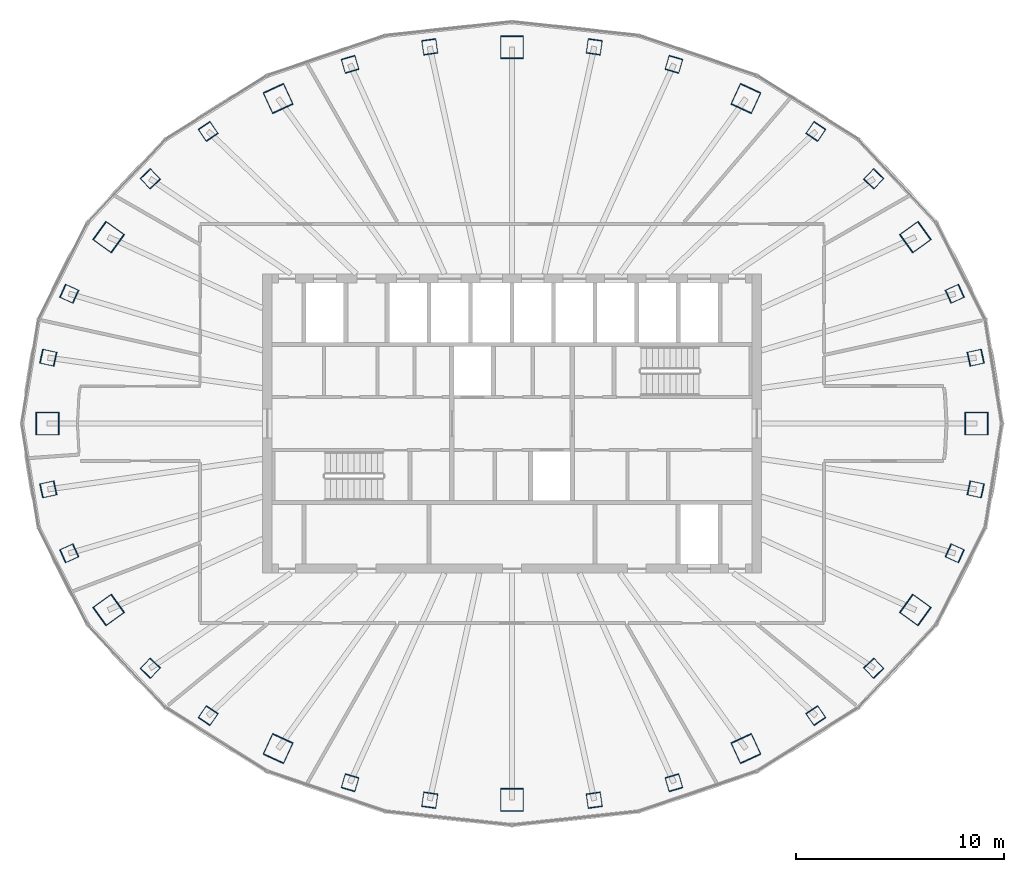
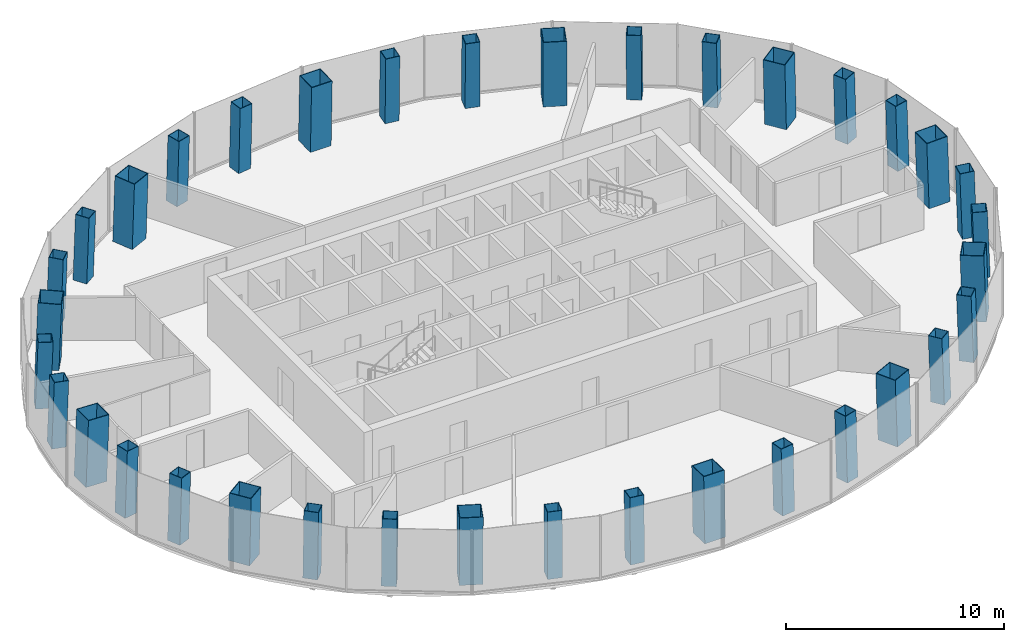
# One storey, part 1 of 13: 36 columns.
"""IFC4 building model written with IfcOpenShell, lengths in metres."""

from ifc_helpers import new_model, si_unit, direction, frame, origin, origin_2d, place, context, subcontext, project, spatial, hollow_rectangle, extrude, material, material_profile, profile_set, type_object, element, save


model = new_model("IFC4")

# Units and contexts
model_context = context("Model", 3, precision=1e-05, world=origin(), true_north=direction((0.0, 1.0)))
body_context = subcontext(model_context, "Body", "Model", "MODEL_VIEW")
ifc_project = project(units=[si_unit("LENGTHUNIT", "METRE"), si_unit("AREAUNIT", "SQUARE_METRE"), si_unit("VOLUMEUNIT", "CUBIC_METRE"), si_unit("PLANEANGLEUNIT", "RADIAN"), si_unit("MASSUNIT", "GRAM", prefix="KILO")], contexts=[model_context])

# Site, building, storey
site_placement = place(None, origin())
site = spatial("IfcSite", under=ifc_project, at=site_placement, CompositionType="ELEMENT")
building_placement = place(site_placement, origin())
building = spatial("IfcBuilding", under=site, at=building_placement, Name="Siaravel Broadcast Tower", CompositionType="ELEMENT")
storey_placement = place(building_placement, frame((0.0, 0.0, 175.60009765625)))
storey = spatial("IfcBuildingStorey", under=building, at=storey_placement, Name="L42", CompositionType="ELEMENT", Elevation=175.60009765625)

# Columns
ifc_material = material(Name="Concrete C60/75", Category="concrete")
ifc_material_profile_1 = material_profile(ifc_material, hollow_rectangle(XDim=1.10009765625, YDim=1.10009765625, WallThickness=0.031982421875, at=origin_2d()))
ifc_profile_set_1 = profile_set([ifc_material_profile_1], Name="Concrete C60/75")
column_type_1 = type_object("IfcColumnType", Name="COL-CFT BOX 1100x1100x32", PredefinedType="COLUMN", material=ifc_profile_set_1)
column_1_placement = place(storey_placement, frame((22.364501953125, 0.0, 0.0), z_axis=(-0.034555398, 0.0, 0.999402784), x_axis=(0.0, -1.0, 0.0)))
element("IfcColumn", 1, at=column_1_placement, inside=storey, type_object=column_type_1, Name="Megacolumn MC01", PredefinedType="COLUMN", context=body_context, shape_type="SweptSolid", body=[
    extrude(hollow_rectangle(XDim=1.10009765625, YDim=1.10009765625, WallThickness=0.031982421875, at=origin_2d()), origin(), (0.0, 0.0, 1.0), 3.7021484375),
])
column_2_placement = place(storey_placement, frame((19.421875, 8.976318359375, 0.0), z_axis=(-0.029940667, -0.01417895, 0.999451106), x_axis=(0.583646769, -0.811985756, 0.005964942)))
element("IfcColumn", 2, at=column_2_placement, inside=storey, type_object=column_type_1, Name="Megacolumn MC02", PredefinedType="COLUMN", context=body_context, shape_type="SweptSolid", body=[
    extrude(hollow_rectangle(XDim=1.10009765625, YDim=1.10009765625, WallThickness=0.031982421875, at=origin_2d()), origin(), (0.0, 0.0, 1.0), 3.701904296875),
])
column_3_placement = place(storey_placement, frame((11.261962890625, 15.650634765625, 0.0), z_axis=(-0.017280237, -0.024535299, 0.999549605), x_axis=(0.90824905, -0.418394741, 0.005431766)))
element("IfcColumn", 3, at=column_3_placement, inside=storey, type_object=column_type_1, Name="Megacolumn MC03", PredefinedType="COLUMN", context=body_context, shape_type="SweptSolid", body=[
    extrude(hollow_rectangle(XDim=1.10009765625, YDim=1.10009765625, WallThickness=0.031982421875, at=origin_2d()), origin(), (0.0, 0.0, 1.0), 3.70166015625),
])
column_4_placement = place(storey_placement, frame((0.0, 18.1201171875, 0.0), z_axis=(0.0, -0.028296154, 0.999599584), x_axis=(1.0, 0.0, 0.0)))
element("IfcColumn", 4, at=column_4_placement, inside=storey, type_object=column_type_1, Name="Megacolumn MC04", PredefinedType="COLUMN", context=body_context, shape_type="SweptSolid", body=[
    extrude(hollow_rectangle(XDim=1.10009765625, YDim=1.10009765625, WallThickness=0.031982421875, at=origin_2d()), origin(), (0.0, 0.0, 1.0), 3.701416015625),
])
column_5_placement = place(storey_placement, frame((-11.261962890625, 15.650634765625, 0.0), z_axis=(0.017280237, -0.024535299, 0.999549605), x_axis=(0.90824905, 0.418394741, -0.005431766)))
element("IfcColumn", 5, at=column_5_placement, inside=storey, type_object=column_type_1, Name="Megacolumn MC05", PredefinedType="COLUMN", context=body_context, shape_type="SweptSolid", body=[
    extrude(hollow_rectangle(XDim=1.10009765625, YDim=1.10009765625, WallThickness=0.031982421875, at=origin_2d()), origin(), (0.0, 0.0, 1.0), 3.70166015625),
])
column_6_placement = place(storey_placement, frame((-19.421875, 8.976318359375, 0.0), z_axis=(0.029940667, -0.01417895, 0.999451106), x_axis=(0.583646769, 0.811985756, -0.005964942)))
element("IfcColumn", 6, at=column_6_placement, inside=storey, type_object=column_type_1, Name="Megacolumn MC06", PredefinedType="COLUMN", context=body_context, shape_type="SweptSolid", body=[
    extrude(hollow_rectangle(XDim=1.10009765625, YDim=1.10009765625, WallThickness=0.031982421875, at=origin_2d()), origin(), (0.0, 0.0, 1.0), 3.701904296875),
])
column_7_placement = place(storey_placement, frame((-22.364501953125, 0.0, 0.0), z_axis=(0.034555398, 0.0, 0.999402784), x_axis=(0.0, 1.0, 0.0)))
element("IfcColumn", 7, at=column_7_placement, inside=storey, type_object=column_type_1, Name="Megacolumn MC07", PredefinedType="COLUMN", context=body_context, shape_type="SweptSolid", body=[
    extrude(hollow_rectangle(XDim=1.10009765625, YDim=1.10009765625, WallThickness=0.031982421875, at=origin_2d()), origin(), (0.0, 0.0, 1.0), 3.7021484375),
])
column_8_placement = place(storey_placement, frame((-19.421875, -8.976318359375, 0.0), z_axis=(0.029940667, 0.01417895, 0.999451106), x_axis=(-0.583646769, 0.811985756, 0.005964942)))
element("IfcColumn", 8, at=column_8_placement, inside=storey, type_object=column_type_1, Name="Megacolumn MC08", PredefinedType="COLUMN", context=body_context, shape_type="SweptSolid", body=[
    extrude(hollow_rectangle(XDim=1.10009765625, YDim=1.10009765625, WallThickness=0.031982421875, at=origin_2d()), origin(), (0.0, 0.0, 1.0), 3.701904296875),
])
column_9_placement = place(storey_placement, frame((-11.261962890625, -15.650634765625, 0.0), z_axis=(0.017280237, 0.024535299, 0.999549605), x_axis=(-0.90824905, 0.418394741, 0.005431766)))
element("IfcColumn", 9, at=column_9_placement, inside=storey, type_object=column_type_1, Name="Megacolumn MC09", PredefinedType="COLUMN", context=body_context, shape_type="SweptSolid", body=[
    extrude(hollow_rectangle(XDim=1.10009765625, YDim=1.10009765625, WallThickness=0.031982421875, at=origin_2d()), origin(), (0.0, 0.0, 1.0), 3.70166015625),
])
column_10_placement = place(storey_placement, frame((0.0, -18.1201171875, 0.0), z_axis=(0.0, 0.028296154, 0.999599584), x_axis=(-1.0, 0.0, 0.0)))
element("IfcColumn", 10, at=column_10_placement, inside=storey, type_object=column_type_1, Name="Megacolumn MC10", PredefinedType="COLUMN", context=body_context, shape_type="SweptSolid", body=[
    extrude(hollow_rectangle(XDim=1.10009765625, YDim=1.10009765625, WallThickness=0.031982421875, at=origin_2d()), origin(), (0.0, 0.0, 1.0), 3.701416015625),
])
column_11_placement = place(storey_placement, frame((11.261962890625, -15.650634765625, 0.0), z_axis=(-0.017280237, 0.024535299, 0.999549605), x_axis=(-0.90824905, -0.418394741, -0.005431766)))
element("IfcColumn", 11, at=column_11_placement, inside=storey, type_object=column_type_1, Name="Megacolumn MC11", PredefinedType="COLUMN", context=body_context, shape_type="SweptSolid", body=[
    extrude(hollow_rectangle(XDim=1.10009765625, YDim=1.10009765625, WallThickness=0.031982421875, at=origin_2d()), origin(), (0.0, 0.0, 1.0), 3.70166015625),
])
column_12_placement = place(storey_placement, frame((19.421875, -8.976318359375, 0.0), z_axis=(-0.029940667, 0.01417895, 0.999451106), x_axis=(-0.583646769, -0.811985756, -0.005964942)))
element("IfcColumn", 12, at=column_12_placement, inside=storey, type_object=column_type_1, Name="Megacolumn MC12", PredefinedType="COLUMN", context=body_context, shape_type="SweptSolid", body=[
    extrude(hollow_rectangle(XDim=1.10009765625, YDim=1.10009765625, WallThickness=0.031982421875, at=origin_2d()), origin(), (0.0, 0.0, 1.0), 3.701904296875),
])
ifc_material_profile_2 = material_profile(ifc_material, hollow_rectangle(XDim=0.699951171875, YDim=0.699951171875, WallThickness=0.02490234375, at=origin_2d()))
ifc_profile_set_2 = profile_set([ifc_material_profile_2], Name="Concrete C60/75")
column_type_2 = type_object("IfcColumnType", Name="COL-CFT BOX 700x700x25", PredefinedType="COLUMN", material=ifc_profile_set_2)
for number, where, z_axis, x_axis, name in (
    (13, (22.326171875, 3.169189453125, 0.0), (-0.034093903, -0.004945924, 0.999406396), (0.21338407, -0.976965334, 0.002444551), "Perimeter column C01"),
    (14, (21.318603515625, 6.248779296875, 0.0), (-0.032577668, -0.009694164, 0.999422192), (0.409729725, -0.912195831, 0.004507667), "Perimeter column C02"),
):
    element("IfcColumn", number, at=place(storey_placement, frame(where, z_axis=z_axis, x_axis=x_axis)), inside=storey, type_object=column_type_2, Name=name, PredefinedType="COLUMN", context=body_context, shape_type="SweptSolid", body=[
        extrude(hollow_rectangle(XDim=0.699951171875, YDim=0.699951171875, WallThickness=0.02490234375, at=origin_2d()), origin(), (0.0, 0.0, 1.0), 3.7021484375),
    ])
column_13_placement = place(storey_placement, frame((17.416015625, 11.781982421875, 0.0), z_axis=(-0.026446274, -0.018202423, 0.9994845), x_axis=(0.721080529, -0.692821124, 0.006462201)))
element("IfcColumn", 15, at=column_13_placement, inside=storey, type_object=column_type_2, Name="Perimeter column C03", PredefinedType="COLUMN", context=body_context, shape_type="SweptSolid", body=[
    extrude(hollow_rectangle(XDim=0.699951171875, YDim=0.699951171875, WallThickness=0.02490234375, at=origin_2d()), origin(), (0.0, 0.0, 1.0), 3.701904296875),
])
column_14_placement = place(storey_placement, frame((14.629638671875, 14.064208984375, 0.0), z_axis=(-0.022226156, -0.021698532, 0.999517469), x_axis=(0.828370172, -0.560146113, 0.006260157)))
element("IfcColumn", 16, at=column_14_placement, inside=storey, type_object=column_type_2, Name="Perimeter column C04", PredefinedType="COLUMN", context=body_context, shape_type="SweptSolid", body=[
    extrude(hollow_rectangle(XDim=0.699951171875, YDim=0.699951171875, WallThickness=0.02490234375, at=origin_2d()), origin(), (0.0, 0.0, 1.0), 3.70166015625),
])
for number, where, z_axis, x_axis, name in (
    (17, (7.796875, 17.29443359375, 0.0), (-0.011872213, -0.026646524, 0.999574416), (0.959541305, -0.281541011, 0.003891446), "Perimeter column C05"),
    (18, (3.960205078125, 18.136474609375, 0.0), (-0.006002173, -0.027900212, 0.999592693), (0.990159659, -0.139927442, 0.002039935), "Perimeter column C06"),
    (19, (-3.960205078125, 18.136474609375, 0.0), (0.006002173, -0.027900212, 0.999592693), (0.990159659, 0.139927442, -0.002039935), "Perimeter column C07"),
    (20, (-7.796875, 17.29443359375, 0.0), (0.011872213, -0.026646524, 0.999574416), (0.959541305, 0.281541011, -0.003891446), "Perimeter column C08"),
):
    element("IfcColumn", number, at=place(storey_placement, frame(where, z_axis=z_axis, x_axis=x_axis)), inside=storey, type_object=column_type_2, Name=name, PredefinedType="COLUMN", context=body_context, shape_type="SweptSolid", body=[
        extrude(hollow_rectangle(XDim=0.699951171875, YDim=0.699951171875, WallThickness=0.02490234375, at=origin_2d()), origin(), (0.0, 0.0, 1.0), 3.701416015625),
    ])
column_15_placement = place(storey_placement, frame((-14.629638671875, 14.064208984375, 0.0), z_axis=(0.022226156, -0.021698532, 0.999517469), x_axis=(0.828370172, 0.560146113, -0.006260157)))
element("IfcColumn", 21, at=column_15_placement, inside=storey, type_object=column_type_2, Name="Perimeter column C09", PredefinedType="COLUMN", context=body_context, shape_type="SweptSolid", body=[
    extrude(hollow_rectangle(XDim=0.699951171875, YDim=0.699951171875, WallThickness=0.02490234375, at=origin_2d()), origin(), (0.0, 0.0, 1.0), 3.70166015625),
])
column_16_placement = place(storey_placement, frame((-17.416015625, 11.781982421875, 0.0), z_axis=(0.026446274, -0.018202423, 0.9994845), x_axis=(0.721080529, 0.692821124, -0.006462201)))
element("IfcColumn", 22, at=column_16_placement, inside=storey, type_object=column_type_2, Name="Perimeter column C10", PredefinedType="COLUMN", context=body_context, shape_type="SweptSolid", body=[
    extrude(hollow_rectangle(XDim=0.699951171875, YDim=0.699951171875, WallThickness=0.02490234375, at=origin_2d()), origin(), (0.0, 0.0, 1.0), 3.701904296875),
])
for number, where, z_axis, x_axis, name in (
    (23, (-21.318603515625, 6.248779296875, 0.0), (0.032577668, -0.009694164, 0.999422192), (0.409729725, 0.912195831, -0.004507667), "Perimeter column C11"),
    (24, (-22.326171875, 3.169189453125, 0.0), (0.034093903, -0.004945924, 0.999406396), (0.21338407, 0.976965334, -0.002444551), "Perimeter column C12"),
    (25, (-22.326171875, -3.169189453125, 0.0), (0.034093903, 0.004945924, 0.999406396), (-0.21338407, 0.976965334, 0.002444551), "Perimeter column C13"),
    (26, (-21.318603515625, -6.248779296875, 0.0), (0.032577668, 0.009694164, 0.999422192), (-0.409729725, 0.912195831, 0.004507667), "Perimeter column C14"),
):
    element("IfcColumn", number, at=place(storey_placement, frame(where, z_axis=z_axis, x_axis=x_axis)), inside=storey, type_object=column_type_2, Name=name, PredefinedType="COLUMN", context=body_context, shape_type="SweptSolid", body=[
        extrude(hollow_rectangle(XDim=0.699951171875, YDim=0.699951171875, WallThickness=0.02490234375, at=origin_2d()), origin(), (0.0, 0.0, 1.0), 3.7021484375),
    ])
column_17_placement = place(storey_placement, frame((-17.416015625, -11.781982421875, 0.0), z_axis=(0.026446274, 0.018202423, 0.9994845), x_axis=(-0.721080529, 0.692821124, 0.006462201)))
element("IfcColumn", 27, at=column_17_placement, inside=storey, type_object=column_type_2, Name="Perimeter column C15", PredefinedType="COLUMN", context=body_context, shape_type="SweptSolid", body=[
    extrude(hollow_rectangle(XDim=0.699951171875, YDim=0.699951171875, WallThickness=0.02490234375, at=origin_2d()), origin(), (0.0, 0.0, 1.0), 3.701904296875),
])
column_18_placement = place(storey_placement, frame((-14.629638671875, -14.064208984375, 0.0), z_axis=(0.022226156, 0.021698532, 0.999517469), x_axis=(-0.828370172, 0.560146113, 0.006260157)))
element("IfcColumn", 28, at=column_18_placement, inside=storey, type_object=column_type_2, Name="Perimeter column C16", PredefinedType="COLUMN", context=body_context, shape_type="SweptSolid", body=[
    extrude(hollow_rectangle(XDim=0.699951171875, YDim=0.699951171875, WallThickness=0.02490234375, at=origin_2d()), origin(), (0.0, 0.0, 1.0), 3.70166015625),
])
for number, where, z_axis, x_axis, name in (
    (29, (-7.796875, -17.29443359375, 0.0), (0.011872213, 0.026646524, 0.999574416), (-0.959541305, 0.281541011, 0.003891446), "Perimeter column C17"),
    (30, (-3.960205078125, -18.136474609375, 0.0), (0.006002173, 0.027900212, 0.999592693), (-0.990159659, 0.139927442, 0.002039935), "Perimeter column C18"),
    (31, (3.960205078125, -18.136474609375, 0.0), (-0.006002173, 0.027900212, 0.999592693), (-0.990159659, -0.139927442, -0.002039935), "Perimeter column C19"),
    (32, (7.796875, -17.29443359375, 0.0), (-0.011872213, 0.026646524, 0.999574416), (-0.959541305, -0.281541011, -0.003891446), "Perimeter column C20"),
):
    element("IfcColumn", number, at=place(storey_placement, frame(where, z_axis=z_axis, x_axis=x_axis)), inside=storey, type_object=column_type_2, Name=name, PredefinedType="COLUMN", context=body_context, shape_type="SweptSolid", body=[
        extrude(hollow_rectangle(XDim=0.699951171875, YDim=0.699951171875, WallThickness=0.02490234375, at=origin_2d()), origin(), (0.0, 0.0, 1.0), 3.701416015625),
    ])
column_19_placement = place(storey_placement, frame((14.629638671875, -14.064208984375, 0.0), z_axis=(-0.022226156, 0.021698532, 0.999517469), x_axis=(-0.828370172, -0.560146113, -0.006260157)))
element("IfcColumn", 33, at=column_19_placement, inside=storey, type_object=column_type_2, Name="Perimeter column C21", PredefinedType="COLUMN", context=body_context, shape_type="SweptSolid", body=[
    extrude(hollow_rectangle(XDim=0.699951171875, YDim=0.699951171875, WallThickness=0.02490234375, at=origin_2d()), origin(), (0.0, 0.0, 1.0), 3.70166015625),
])
column_20_placement = place(storey_placement, frame((17.416015625, -11.781982421875, 0.0), z_axis=(-0.026446274, 0.018202423, 0.9994845), x_axis=(-0.721080529, -0.692821124, -0.006462201)))
element("IfcColumn", 34, at=column_20_placement, inside=storey, type_object=column_type_2, Name="Perimeter column C22", PredefinedType="COLUMN", context=body_context, shape_type="SweptSolid", body=[
    extrude(hollow_rectangle(XDim=0.699951171875, YDim=0.699951171875, WallThickness=0.02490234375, at=origin_2d()), origin(), (0.0, 0.0, 1.0), 3.701904296875),
])
for number, where, z_axis, x_axis, name in (
    (35, (21.318603515625, -6.248779296875, 0.0), (-0.032577668, 0.009694164, 0.999422192), (-0.409729725, -0.912195831, -0.004507667), "Perimeter column C23"),
    (36, (22.326171875, -3.169189453125, 0.0), (-0.034093903, 0.004945924, 0.999406396), (-0.21338407, -0.976965334, -0.002444551), "Perimeter column C24"),
):
    element("IfcColumn", number, at=place(storey_placement, frame(where, z_axis=z_axis, x_axis=x_axis)), inside=storey, type_object=column_type_2, Name=name, PredefinedType="COLUMN", context=body_context, shape_type="SweptSolid", body=[
        extrude(hollow_rectangle(XDim=0.699951171875, YDim=0.699951171875, WallThickness=0.02490234375, at=origin_2d()), origin(), (0.0, 0.0, 1.0), 3.7021484375),
    ])

save(model, "model.ifc")
